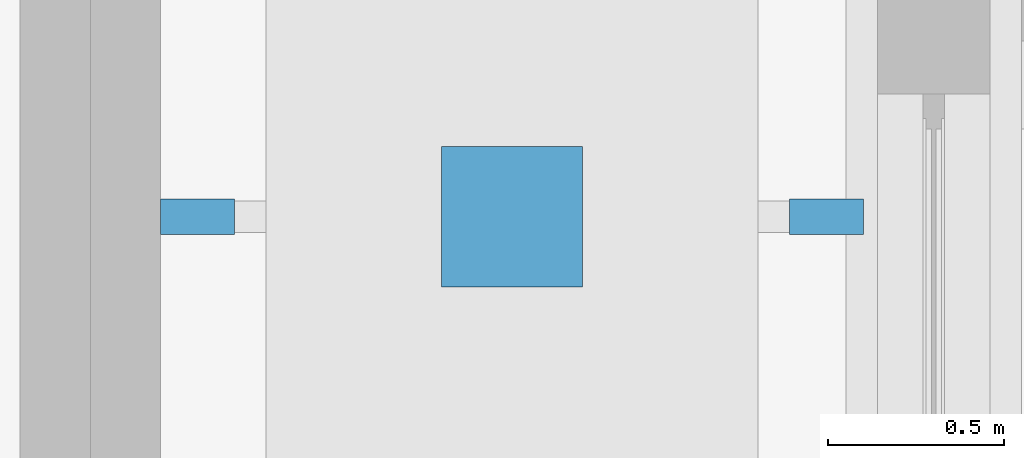
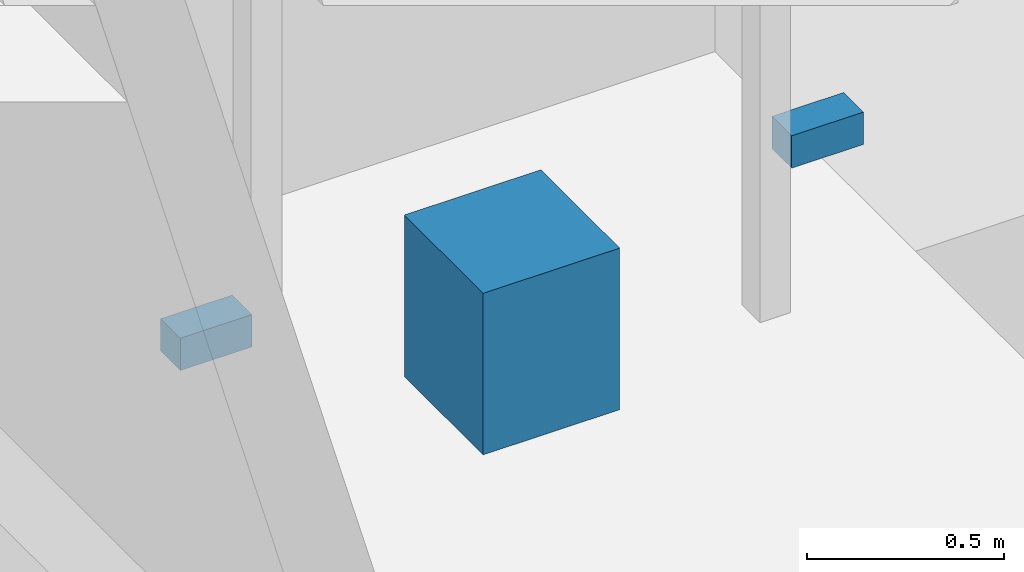
# One storey, part 166 of 250: 3 discrete accessories.
"""IFC4 building model written with IfcOpenShell, lengths in metres."""

from ifc_helpers import new_model, si_unit, direction, frame, origin, origin_2d, place, context, subcontext, project, spatial, rectangle, extrude, material, type_object, element, save


model = new_model("IFC4")

# Units and contexts
model_context = context("Model", 3, precision=1e-05, world=origin(), true_north=direction((0.0, 1.0)))
body_context = subcontext(model_context, "Body", "Model", "MODEL_VIEW")
ifc_project = project(units=[si_unit("LENGTHUNIT", "METRE"), si_unit("AREAUNIT", "SQUARE_METRE"), si_unit("VOLUMEUNIT", "CUBIC_METRE"), si_unit("PLANEANGLEUNIT", "RADIAN"), si_unit("MASSUNIT", "GRAM", prefix="KILO")], contexts=[model_context])

# Site, building, storey
site_placement = place(None, origin())
site = spatial("IfcSite", under=ifc_project, at=site_placement, CompositionType="ELEMENT")
building_placement = place(site_placement, origin())
building = spatial("IfcBuilding", under=site, at=building_placement, Name="Baradari Gate Terminus", CompositionType="ELEMENT")
storey_placement = place(building_placement, origin())
storey = spatial("IfcBuildingStorey", under=building, at=storey_placement, Name="L00", CompositionType="ELEMENT", Elevation=0.0)

# Discrete accessories
ifc_material_1 = material(Name="Steel S355", Category="steel")
discrete_accessory_type_1 = type_object("IfcDiscreteAccessoryType", Name="Lift buffer BF-1 400x400x500", PredefinedType="SHOE", material=ifc_material_1)
discrete_accessory_placement = place(storey_placement, frame((151.800048828125, 16.75, -1.60009765625), z_axis=(0.0, 0.0, 1.0), x_axis=(1.0, 0.0, 0.0)))
element("IfcDiscreteAccessory", 1, at=discrete_accessory_placement, inside=storey, type_object=discrete_accessory_type_1, Name="Lift buffer LSW2", PredefinedType="SHOE", context=body_context, shape_type="SweptSolid", body=[
    extrude(rectangle(XDim=0.39990234375, YDim=0.39990234375, at=origin_2d()), origin(), (0.0, 0.0, 1.0), 0.5),
])
ifc_material_2 = material(Name="Steel S355", Category="steel")
discrete_accessory_type_2 = type_object("IfcDiscreteAccessoryType", Name="Lift rail bracket RB-L1 100x100", PredefinedType="BRACKET", material=ifc_material_2)
for number, where, z_axis, x_axis, name in (
    (2, (150.905029296875, 16.75, -1.150146484375), (0.0, 0.0, 1.0), (1.0, 0.0, 0.0), "Lift rail bracket LSW2 1A"),
    (3, (152.695068359375, 16.75, -1.150146484375), (0.0, 0.0, 1.0), (1.0, 0.0, 0.0), "Lift rail bracket LSW2 2A"),
):
    element("IfcDiscreteAccessory", number, at=place(storey_placement, frame(where, z_axis=z_axis, x_axis=x_axis)), inside=storey, type_object=discrete_accessory_type_2, Name=name, PredefinedType="BRACKET", context=body_context, shape_type="SweptSolid", body=[
        extrude(rectangle(XDim=0.2099609375, YDim=0.10009765625, at=origin_2d()), origin(), (0.0, 0.0, 1.0), 0.10009765625),
    ])

save(model, "model.ifc")
